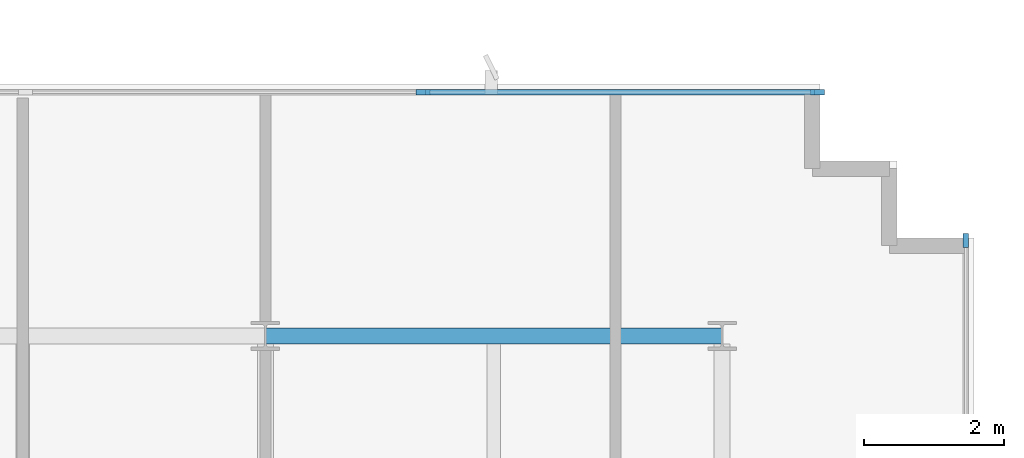
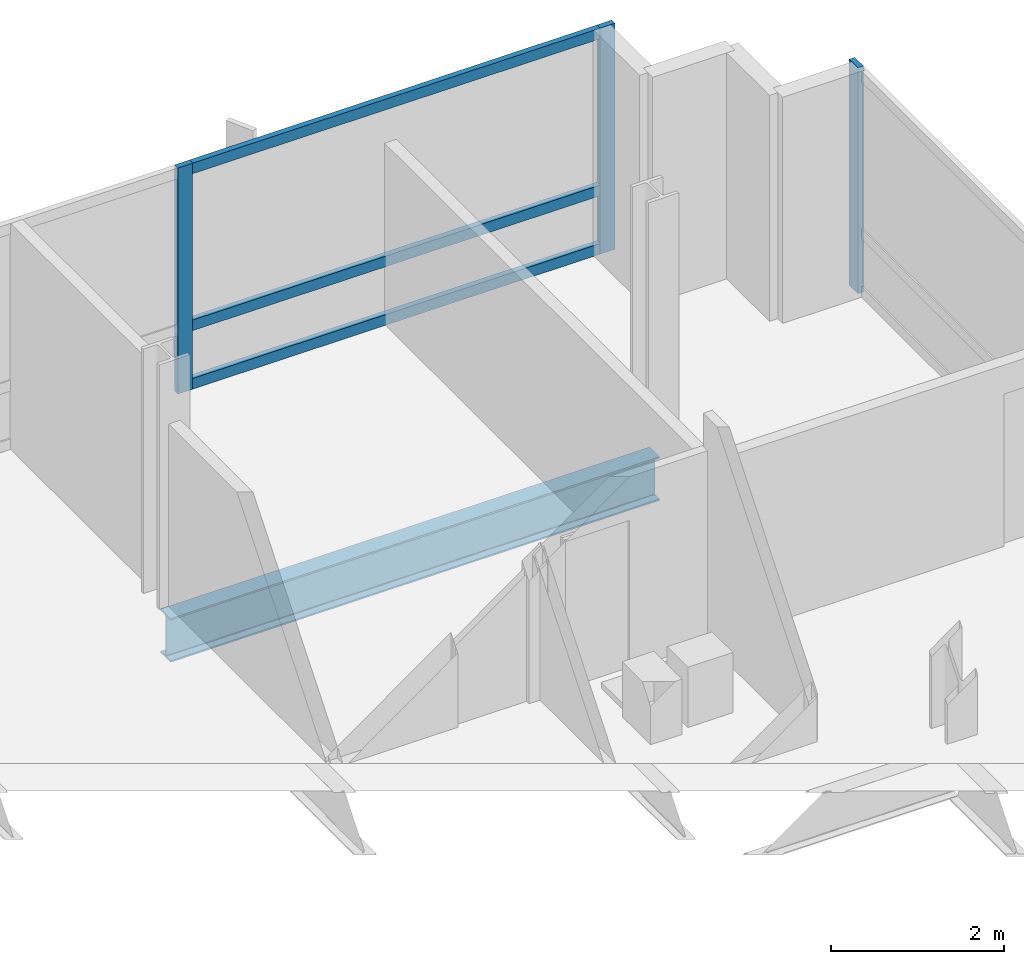
# One storey, part 6 of 15: 6 members, 1 beam, 2 elements without a shape of their own.
"""IFC4 building model written with IfcOpenShell, lengths in metres."""

from ifc_helpers import new_model, si_unit, direction, frame, origin, origin_2d, place, context, subcontext, project, spatial, rectangle, i_section, extrude, material, material_profile, profile_set, type_object, element, aggregate, save


model = new_model("IFC4")

# Units and contexts
model_context = context("Model", 3, precision=1e-05, world=origin(), true_north=direction((0.0, 1.0)))
body_context = subcontext(model_context, "Body", "Model", "MODEL_VIEW")
ifc_project = project(units=[si_unit("LENGTHUNIT", "METRE"), si_unit("AREAUNIT", "SQUARE_METRE"), si_unit("VOLUMEUNIT", "CUBIC_METRE"), si_unit("PLANEANGLEUNIT", "RADIAN"), si_unit("MASSUNIT", "GRAM", prefix="KILO")], contexts=[model_context])

# Site, building, storey
site_placement = place(None, origin())
site = spatial("IfcSite", under=ifc_project, at=site_placement, CompositionType="ELEMENT")
building_placement = place(site_placement, origin())
building = spatial("IfcBuilding", under=site, at=building_placement, Name="Solmavex Isthmus Hotel", CompositionType="ELEMENT")
storey_placement = place(building_placement, frame((0.0, 0.0, 259.199951171875)))
storey = spatial("IfcBuildingStorey", under=building, at=storey_placement, Name="L70", CompositionType="ELEMENT", Elevation=259.199951171875)

# Beam
ifc_material_1 = material(Name="Steel ASTM A992 Grade 50", Category="steel")
ifc_material_profile_1 = material_profile(ifc_material_1, i_section(OverallWidth=0.230224609375, OverallDepth=0.617431640625, WebThickness=0.01318359375, FlangeThickness=0.022216796875, FilletRadius=0.01513671875, at=origin_2d()), Name="W24X94")
ifc_profile_set_1 = profile_set([ifc_material_profile_1], Name="Steel ASTM A992 Grade 50")
beam_type = type_object("IfcBeamType", Name="BM-SP-W24X94", PredefinedType="SPANDREL", material=ifc_profile_set_1)
beam_placement = place(storey_placement, frame((13.8720703125, 17.699951171875, -0.568603515625), z_axis=(1.0, 0.0, 0.0), x_axis=(0.0, 1.0, 0.0)))
element("IfcBeam", 1, at=beam_placement, inside=storey, type_object=beam_type, Name="Floor Girder L70-UG20", PredefinedType="SPANDREL", context=body_context, shape_type="SweptSolid", body=[
    extrude(i_section(OverallWidth=0.230224609375, OverallDepth=0.617431640625, WebThickness=0.01318359375, FlangeThickness=0.022216796875, FilletRadius=0.01513671875, at=origin_2d()), origin(), (0.0, 0.0, 1.0), 6.52783203125),
])

# Curtain wall, members
ifc_material_2 = material(Name="Aluminium alloy 6063-T6", Category="aluminium")
curtain_wall_type = type_object("IfcCurtainWallType", Name="CW-SYS-04", PredefinedType="NOTDEFINED", material=ifc_material_2)
curtain_wall_1_placement = place(storey_placement, origin())
curtain_wall_1 = element("IfcCurtainWall", 2, at=curtain_wall_1_placement, inside=storey, type_object=curtain_wall_type, Name="Stick Curtain Wall CWL-L70-N3", PredefinedType="NOTDEFINED")
ifc_material_profile_2 = material_profile(ifc_material_2, rectangle(XDim=0.074951171875, YDim=0.199951171875, at=origin_2d()), Name="CWM-75X200")
ifc_profile_set_2 = profile_set([ifc_material_profile_2], Name="Aluminium alloy 6063-T6")
member_type_1 = type_object("IfcMemberType", Name="CW-SYS-04-MUL", PredefinedType="MULLION", material=ifc_profile_set_2)
member_1_placement = place(storey_placement, frame((16.12255859375, 21.179931640625, 0.0), z_axis=(0.0, 0.0, 1.0), x_axis=(0.0, 1.0, 0.0)))
member_1 = element("IfcMember", 3, at=member_1_placement, type_object=member_type_1, Name="CW-04 mullion 3", PredefinedType="MULLION", context=body_context, shape_type="SweptSolid", body=[
    extrude(rectangle(XDim=0.074951171875, YDim=0.199951171875, at=origin_2d()), origin(), (0.0, 0.0, 1.0), 3.18994140625),
])
member_2_placement = place(storey_placement, frame((21.762451171875, 21.179931640625, 0.0), z_axis=(0.0, 0.0, 1.0), x_axis=(0.0, 1.0, 0.0)))
member_2 = element("IfcMember", 4, at=member_2_placement, type_object=member_type_1, Name="CW-04 mullion 4", PredefinedType="MULLION", context=body_context, shape_type="SweptSolid", body=[
    extrude(rectangle(XDim=0.074951171875, YDim=0.199951171875, at=origin_2d()), origin(), (0.0, 0.0, 1.0), 3.18994140625),
])

# Curtain wall, member
curtain_wall_2_placement = place(storey_placement, origin())
curtain_wall_2 = element("IfcCurtainWall", 5, at=curtain_wall_2_placement, inside=storey, type_object=curtain_wall_type, Name="Stick Curtain Wall CWL-L70-E1", PredefinedType="NOTDEFINED")
member_3_placement = place(storey_placement, frame((23.8798828125, 19.0625, 0.0), z_axis=(0.0, 0.0, 1.0), x_axis=(-1.0, 0.0, 0.0)))
member_3 = element("IfcMember", 6, at=member_3_placement, type_object=member_type_1, Name="CW-04 mullion 6", PredefinedType="MULLION", context=body_context, shape_type="SweptSolid", body=[
    extrude(rectangle(XDim=0.074951171875, YDim=0.199951171875, at=origin_2d()), origin(), (0.0, 0.0, 1.0), 3.18994140625),
])
aggregate(curtain_wall_2, [member_3])

# Member
ifc_material_profile_3 = material_profile(ifc_material_2, rectangle(XDim=0.074951171875, YDim=0.14990234375, at=origin_2d()), Name="CWT-75X150")
ifc_profile_set_3 = profile_set([ifc_material_profile_3], Name="Aluminium alloy 6063-T6")
member_type_2 = type_object("IfcMemberType", Name="CW-SYS-04-TRN", PredefinedType="USERDEFINED", material=ifc_profile_set_3)
member_4_placement = place(storey_placement, frame((16.16015625, 21.179931640625, 0.074951171875), z_axis=(1.0, 0.0, 0.0), x_axis=(0.0, 1.0, 0.0)))
member_4 = element("IfcMember", 7, at=member_4_placement, type_object=member_type_2, Name="CW-04 transom 3.1", ObjectType="TRANSOM", PredefinedType="USERDEFINED", context=body_context, shape_type="SweptSolid", body=[
    extrude(rectangle(XDim=0.074951171875, YDim=0.14990234375, at=origin_2d()), origin(), (0.0, 0.0, 1.0), 5.56494140625),
])

member_5_placement = place(storey_placement, frame((16.16015625, 21.179931640625, 0.900146484375), z_axis=(1.0, 0.0, 0.0), x_axis=(0.0, 1.0, 0.0)))
member_5 = element("IfcMember", 8, at=member_5_placement, type_object=member_type_2, Name="CW-04 transom 3.2", ObjectType="TRANSOM", PredefinedType="USERDEFINED", context=body_context, shape_type="SweptSolid", body=[
    extrude(rectangle(XDim=0.074951171875, YDim=0.14990234375, at=origin_2d()), origin(), (0.0, 0.0, 1.0), 5.56494140625),
])

member_6_placement = place(storey_placement, frame((16.16015625, 21.179931640625, 3.114990234375), z_axis=(1.0, 0.0, 0.0), x_axis=(0.0, 1.0, 0.0)))
member_6 = element("IfcMember", 9, at=member_6_placement, type_object=member_type_2, Name="CW-04 transom 3.3", ObjectType="TRANSOM", PredefinedType="USERDEFINED", context=body_context, shape_type="SweptSolid", body=[
    extrude(rectangle(XDim=0.074951171875, YDim=0.14990234375, at=origin_2d()), origin(), (0.0, 0.0, 1.0), 5.56494140625),
])

aggregate(curtain_wall_1, [member_1, member_2, member_4, member_5, member_6])

save(model, "model.ifc")
